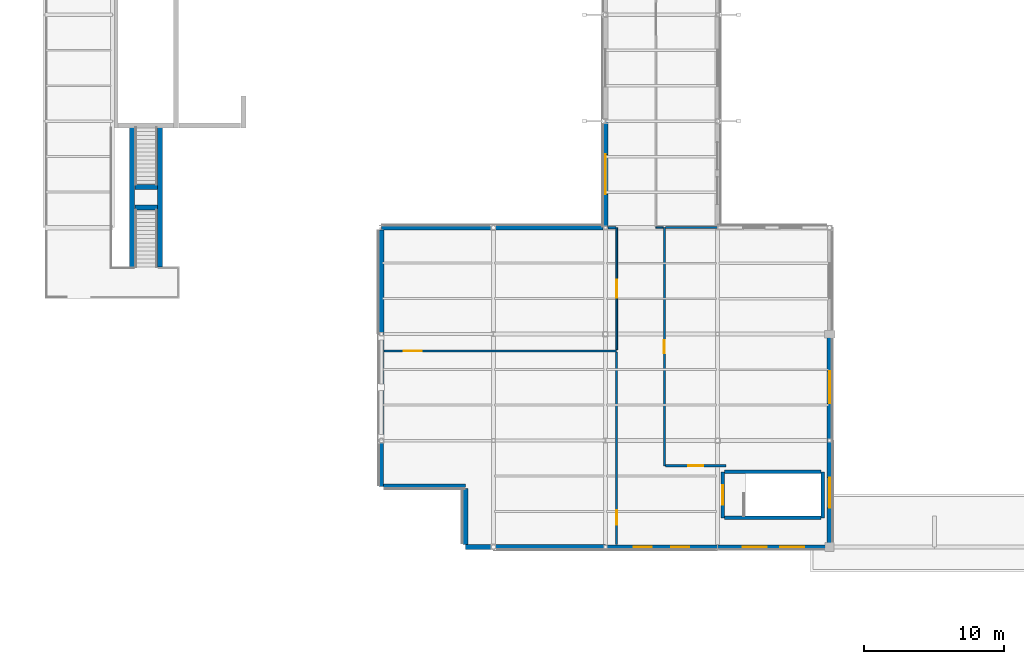
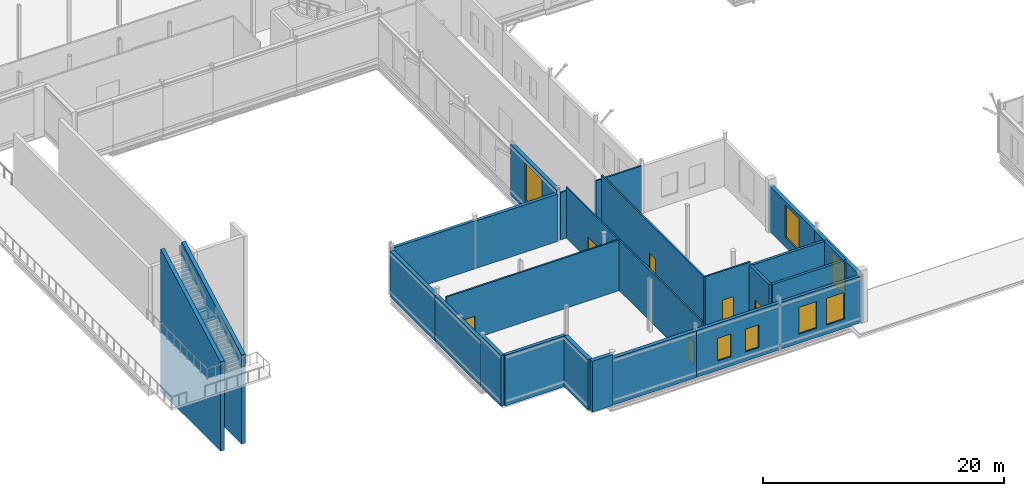
# One storey, part 115 of 147: 30 walls, 7 windows, 6 doors, 13 openings.
"""IFC4 building model written with IfcOpenShell, lengths in metres."""

from ifc_helpers import new_model, si_unit, direction, frame, frame_2d, origin, place, context, subcontext, project, spatial, polyline, rectangle, outline, extrude, material, layer, layer_set, type_object, element, fill, save


model = new_model("IFC4")

# Units and contexts
model_context = context("Model", 3, precision=1e-05, world=origin(), true_north=direction((0.0, 1.0)))
body_context = subcontext(model_context, "Body", "Model", "MODEL_VIEW")
ifc_project = project(units=[si_unit("LENGTHUNIT", "METRE"), si_unit("AREAUNIT", "SQUARE_METRE"), si_unit("VOLUMEUNIT", "CUBIC_METRE"), si_unit("PLANEANGLEUNIT", "RADIAN"), si_unit("MASSUNIT", "GRAM", prefix="KILO")], contexts=[model_context])

# Site, building, storey
site_placement = place(None, origin())
site = spatial("IfcSite", under=ifc_project, at=site_placement, CompositionType="ELEMENT")
building_placement = place(site_placement, origin())
building = spatial("IfcBuilding", under=site, at=building_placement, Name="Vekula Escarpment Museum", CompositionType="ELEMENT")
storey_placement = place(building_placement, frame((0.0, 0.0, 7.800048828125)))
storey = spatial("IfcBuildingStorey", under=building, at=storey_placement, Name="L02", CompositionType="ELEMENT", Elevation=7.800048828125)

# Wall, openings, windows
ifc_material_1 = material(Name="Inkisi arkosic sandstone masonry", Category="masonry")
ifc_layer_1 = layer(ifc_material_1, 0.300048828125)
ifc_layer_set_1 = layer_set([ifc_layer_1], Name="Inkisi arkosic sandstone masonry")
wall_type_1 = type_object("IfcWallType", Name="WL-ALM-300", PredefinedType="SOLIDWALL", material=ifc_layer_set_1)
wall_1_placement = place(storey_placement, frame((56.0, 0.0, 0.0), z_axis=(0.0, 0.0, 1.0), x_axis=(-1.0, 0.0, 0.0)))
wall_1 = element("IfcWall", 1, at=wall_1_placement, inside=storey, type_object=wall_type_1, Name="Exterior Wall WL-EXT-L02-0319", PredefinedType="SOLIDWALL", context=body_context, shape_type="SweptSolid", body=[
    extrude(rectangle(XDim=8.0, YDim=0.300048828125, at=frame_2d((4.0, 0.0))), origin(), (0.0, 0.0, 1.0), 4.744873046875),
])
opening_1_placement = place(wall_1_placement, frame((1.816650390625, 0.0, 0.949951171875)))
opening_1 = element("IfcOpeningElement", 2, at=opening_1_placement, cuts=wall_1, Name="Opening WN-19", PredefinedType="OPENING", context=body_context, shape_type="SweptSolid", body=[
    extrude(rectangle(XDim=1.699951171875, YDim=2.699951171875, at=frame_2d((0.85009765625, 1.35009765625))), frame((0.0, 0.159912109375, 0.0), z_axis=(0.0, -1.0, 0.0), x_axis=(1.0, 0.0, 0.0)), (0.0, 0.0, 1.0), 0.320068359375),
])
opening_2_placement = place(wall_1_placement, frame((4.4833984375, 0.0, 0.949951171875)))
opening_2 = element("IfcOpeningElement", 3, at=opening_2_placement, cuts=wall_1, Name="Opening WN-19", PredefinedType="OPENING", context=body_context, shape_type="SweptSolid", body=[
    extrude(rectangle(XDim=1.699951171875, YDim=2.699951171875, at=frame_2d((0.85009765625, 1.35009765625))), frame((0.0, 0.159912109375, 0.0), z_axis=(0.0, -1.0, 0.0), x_axis=(1.0, 0.0, 0.0)), (0.0, 0.0, 1.0), 0.320068359375),
])
ifc_material_2 = material(Name="Double solar-control low-E glass", Category="glass")
window_type_1 = type_object("IfcWindowType", Name="WN-GAL-17x27", PartitioningType="DOUBLE_PANEL_VERTICAL", PredefinedType="WINDOW", material=ifc_material_2)
window_1_placement = place(opening_1_placement, origin())
window_1 = element("IfcWindow", 4, at=window_1_placement, inside=storey, type_object=window_type_1, Name="Window L02-0131", OverallHeight=2.699951171875, OverallWidth=1.699951171875, PartitioningType="SINGLE_PANEL", PredefinedType="WINDOW", context=body_context, shape_type="SweptSolid", body=[
    extrude(rectangle(XDim=1.699951171875, YDim=2.699951171875, at=frame_2d((0.85009765625, 1.35009765625))), frame((0.0, 0.030029296875, 0.0), z_axis=(0.0, -1.0, 0.0), x_axis=(1.0, 0.0, 0.0)), (0.0, 0.0, 1.0), 0.06005859375),
])
fill(opening_1, window_1)
window_2_placement = place(opening_2_placement, origin())
window_2 = element("IfcWindow", 5, at=window_2_placement, inside=storey, type_object=window_type_1, Name="Window L02-0132", OverallHeight=2.699951171875, OverallWidth=1.699951171875, PartitioningType="SINGLE_PANEL", PredefinedType="WINDOW", context=body_context, shape_type="SweptSolid", body=[
    extrude(rectangle(XDim=1.699951171875, YDim=2.699951171875, at=frame_2d((0.85009765625, 1.35009765625))), frame((0.0, 0.030029296875, 0.0), z_axis=(0.0, -1.0, 0.0), x_axis=(1.0, 0.0, 0.0)), (0.0, 0.0, 1.0), 0.06005859375),
])
fill(opening_2, window_2)

# Walls
wall_2_placement = place(storey_placement, frame((24.0, 22.800048828125, 0.0), z_axis=(0.0, 0.0, 1.0), x_axis=(1.0, 0.0, 0.0)))
element("IfcWall", 6, at=wall_2_placement, inside=storey, type_object=wall_type_1, Name="Exterior Wall WL-EXT-L02-0527", PredefinedType="SOLIDWALL", context=body_context, shape_type="SweptSolid", body=[
    extrude(rectangle(XDim=8.0, YDim=0.300048828125, at=frame_2d((4.0, 0.0))), origin(), (0.0, 0.0, 1.0), 4.85498046875),
])
wall_3_placement = place(storey_placement, frame((30.0, 4.33203125, 0.0), z_axis=(0.0, 0.0, 1.0), x_axis=(-1.0, 0.0, 0.0)))
element("IfcWall", 7, at=wall_3_placement, inside=storey, type_object=wall_type_1, Name="Exterior Wall WL-EXT-L02-0531", PredefinedType="SOLIDWALL", context=body_context, shape_type="SweptSolid", body=[
    extrude(rectangle(XDim=5.8359375, YDim=0.300048828125, at=frame_2d((2.91796875, 0.0))), origin(), (0.0, 0.0, 1.0), 5.14990234375),
])

# Wall, openings, windows
ifc_material_3 = material(Name="Inkisi arkosic sandstone masonry", Category="masonry")
ifc_layer_2 = layer(ifc_material_3, 0.320068359375)
ifc_layer_set_2 = layer_set([ifc_layer_2], Name="Inkisi arkosic sandstone masonry")
wall_type_2 = type_object("IfcWallType", Name="WL-ALM-320", PredefinedType="SOLIDWALL", material=ifc_layer_set_2)
wall_4_placement = place(storey_placement, frame((48.0, 0.0, 0.0), z_axis=(0.0, 0.0, 1.0), x_axis=(-1.0, 0.0, 0.0)))
wall_4 = element("IfcWall", 8, at=wall_4_placement, inside=storey, type_object=wall_type_2, Name="Exterior Wall WL-EXT-L02-0318", PredefinedType="SOLIDWALL", context=body_context, shape_type="SweptSolid", body=[
    extrude(rectangle(XDim=8.0, YDim=0.320068359375, at=frame_2d((4.0, 0.0))), origin(), (0.0, 0.0, 1.0), 4.744873046875),
])
opening_3_placement = place(wall_4_placement, frame((2.0166015625, 0.0, 0.949951171875)))
opening_3 = element("IfcOpeningElement", 9, at=opening_3_placement, cuts=wall_4, Name="Opening WN-17", PredefinedType="OPENING", context=body_context, shape_type="SweptSolid", body=[
    extrude(rectangle(XDim=1.300048828125, YDim=2.300048828125, at=frame_2d((0.64990234375, 1.14990234375))), frame((0.0, 0.169921875, 0.0), z_axis=(0.0, -1.0, 0.0), x_axis=(1.0, 0.0, 0.0)), (0.0, 0.0, 1.0), 0.340087890625),
])
opening_4_placement = place(wall_4_placement, frame((4.683349609375, 0.0, 0.949951171875)))
opening_4 = element("IfcOpeningElement", 10, at=opening_4_placement, cuts=wall_4, Name="Opening WN-17", PredefinedType="OPENING", context=body_context, shape_type="SweptSolid", body=[
    extrude(rectangle(XDim=1.300048828125, YDim=2.300048828125, at=frame_2d((0.64990234375, 1.14990234375))), frame((0.0, 0.169921875, 0.0), z_axis=(0.0, -1.0, 0.0), x_axis=(1.0, 0.0, 0.0)), (0.0, 0.0, 1.0), 0.340087890625),
])
ifc_material_4 = material(Name="Double solar-control low-E glass", Category="glass")
window_type_2 = type_object("IfcWindowType", Name="WN-GAL-13x23", PartitioningType="SINGLE_PANEL", PredefinedType="WINDOW", material=ifc_material_4)
window_3_placement = place(opening_3_placement, origin())
window_3 = element("IfcWindow", 11, at=window_3_placement, inside=storey, type_object=window_type_2, Name="Window L02-0129", OverallHeight=2.300048828125, OverallWidth=1.300048828125, PartitioningType="SINGLE_PANEL", PredefinedType="WINDOW", context=body_context, shape_type="SweptSolid", body=[
    extrude(rectangle(XDim=1.300048828125, YDim=2.300048828125, at=frame_2d((0.64990234375, 1.14990234375))), frame((0.0, 0.030029296875, 0.0), z_axis=(0.0, -1.0, 0.0), x_axis=(1.0, 0.0, 0.0)), (0.0, 0.0, 1.0), 0.06005859375),
])
fill(opening_3, window_3)
window_4_placement = place(opening_4_placement, origin())
window_4 = element("IfcWindow", 12, at=window_4_placement, inside=storey, type_object=window_type_2, Name="Window L02-0130", OverallHeight=2.300048828125, OverallWidth=1.300048828125, PartitioningType="SINGLE_PANEL", PredefinedType="WINDOW", context=body_context, shape_type="SweptSolid", body=[
    extrude(rectangle(XDim=1.300048828125, YDim=2.300048828125, at=frame_2d((0.64990234375, 1.14990234375))), frame((0.0, 0.030029296875, 0.0), z_axis=(0.0, -1.0, 0.0), x_axis=(1.0, 0.0, 0.0)), (0.0, 0.0, 1.0), 0.06005859375),
])
fill(opening_4, window_4)

# Walls
wall_5_placement = place(storey_placement, frame((32.0, 22.800048828125, 0.0), z_axis=(0.0, 0.0, 1.0), x_axis=(1.0, 0.0, 0.0)))
element("IfcWall", 13, at=wall_5_placement, inside=storey, type_object=wall_type_2, Name="Exterior Wall WL-EXT-L02-0526", PredefinedType="SOLIDWALL", context=body_context, shape_type="SweptSolid", body=[
    extrude(rectangle(XDim=7.821044921875, YDim=0.320068359375, at=frame_2d((3.91064453125, 0.0))), origin(), (0.0, 0.0, 1.0), 4.81494140625),
])
wall_6_placement = place(storey_placement, frame((24.0, 4.33203125, 0.0), z_axis=(0.0, 0.0, 1.0), x_axis=(0.0, 1.0, 0.0)))
element("IfcWall", 14, at=wall_6_placement, inside=storey, type_object=wall_type_2, Name="Exterior Wall WL-EXT-L02-0530", PredefinedType="SOLIDWALL", context=body_context, shape_type="SweptSolid", body=[
    extrude(rectangle(XDim=3.26806640625, YDim=0.320068359375, at=frame_2d((1.634033203125, 0.0))), origin(), (0.0, 0.0, 1.0), 5.14990234375),
])
ifc_material_5 = material(Name="Inkisi arkosic sandstone masonry", Category="masonry")
ifc_layer_3 = layer(ifc_material_5, 0.35009765625)
ifc_layer_set_3 = layer_set([ifc_layer_3], Name="Inkisi arkosic sandstone masonry")
wall_type_3 = type_object("IfcWallType", Name="WL-ALM-350", PredefinedType="SOLIDWALL", material=ifc_layer_set_3)
wall_7_placement = place(storey_placement, frame((40.0, 0.0, 0.0), z_axis=(0.0, 0.0, 1.0), x_axis=(-1.0, 0.0, 0.0)))
element("IfcWall", 15, at=wall_7_placement, inside=storey, type_object=wall_type_3, Name="Exterior Wall WL-EXT-L02-0317", PredefinedType="SOLIDWALL", context=body_context, shape_type="SweptSolid", body=[
    extrude(rectangle(XDim=8.0, YDim=0.35009765625, at=frame_2d((4.0, 0.0))), origin(), (0.0, 0.0, 1.0), 4.744873046875),
])

# Wall, opening, window
wall_8_placement = place(storey_placement, frame((56.0, 15.199951171875, 0.0), z_axis=(0.0, 0.0, 1.0), x_axis=(0.0, -1.0, 0.0)))
wall_8 = element("IfcWall", 16, at=wall_8_placement, inside=storey, type_object=wall_type_3, Name="Exterior Wall WL-EXT-L02-0321", PredefinedType="SOLIDWALL", context=body_context, shape_type="SweptSolid", body=[
    extrude(rectangle(XDim=7.599853515625, YDim=0.35009765625, at=frame_2d((3.7998046875, 0.0))), origin(), (0.0, 0.0, 1.0), 4.635009765625),
])
opening_5_placement = place(wall_8_placement, frame((2.64990234375, 0.0, 0.949951171875)))
opening_5 = element("IfcOpeningElement", 17, at=opening_5_placement, cuts=wall_8, Name="Opening WN-22", PredefinedType="OPENING", context=body_context, shape_type="SweptSolid", body=[
    extrude(rectangle(XDim=2.300048828125, YDim=3.2900390625, at=frame_2d((1.14990234375, 1.64501953125))), frame((0.0, 0.18505859375, 0.0), z_axis=(0.0, -1.0, 0.0), x_axis=(1.0, 0.0, 0.0)), (0.0, 0.0, 1.0), 0.3701171875),
])
ifc_material_6 = material(Name="Double solar-control low-E glass", Category="glass")
window_type_3 = type_object("IfcWindowType", Name="WN-GAL-23x33", PartitioningType="TRIPLE_PANEL_VERTICAL", PredefinedType="WINDOW", material=ifc_material_6)
window_5_placement = place(opening_5_placement, origin())
window_5 = element("IfcWindow", 18, at=window_5_placement, inside=storey, type_object=window_type_3, Name="Window L02-0134", OverallHeight=3.2900390625, OverallWidth=2.300048828125, PartitioningType="SINGLE_PANEL", PredefinedType="WINDOW", context=body_context, shape_type="SweptSolid", body=[
    extrude(rectangle(XDim=2.300048828125, YDim=3.2900390625, at=frame_2d((1.14990234375, 1.64501953125))), frame((0.0, 0.030029296875, 0.0), z_axis=(0.0, -1.0, 0.0), x_axis=(1.0, 0.0, 0.0)), (0.0, 0.0, 1.0), 0.06005859375),
])
fill(opening_5, window_5)

wall_9_placement = place(storey_placement, frame((40.0, 22.800048828125, 0.0), z_axis=(0.0, 0.0, 1.0), x_axis=(0.0, 1.0, 0.0)))
wall_9 = element("IfcWall", 19, at=wall_9_placement, inside=storey, type_object=wall_type_3, Name="Exterior Wall WL-EXT-L02-0525", PredefinedType="SOLIDWALL", context=body_context, shape_type="SweptSolid", body=[
    extrude(rectangle(XDim=7.599853515625, YDim=0.35009765625, at=frame_2d((3.7998046875, 0.0))), origin(), (0.0, 0.0, 1.0), 5.14990234375),
])
opening_6_placement = place(wall_9_placement, frame((2.375, 0.0, 0.949951171875)))
opening_6 = element("IfcOpeningElement", 20, at=opening_6_placement, cuts=wall_9, Name="Opening WN-38", PredefinedType="OPENING", context=body_context, shape_type="SweptSolid", body=[
    extrude(rectangle(XDim=2.85009765625, YDim=3.800048828125, at=frame_2d((1.425048828125, 1.89990234375))), frame((0.0, 0.18505859375, 0.0), z_axis=(0.0, -1.0, 0.0), x_axis=(1.0, 0.0, 0.0)), (0.0, 0.0, 1.0), 0.3701171875),
])
ifc_material_7 = material(Name="Double solar-control low-E glass", Category="glass")
window_type_4 = type_object("IfcWindowType", Name="WN-GAL-28x42", PartitioningType="TRIPLE_PANEL_VERTICAL", PredefinedType="WINDOW", material=ifc_material_7)
window_6_placement = place(opening_6_placement, origin())
window_6 = element("IfcWindow", 21, at=window_6_placement, inside=storey, type_object=window_type_4, Name="Window L02-0240", OverallHeight=3.800048828125, OverallWidth=2.85009765625, PartitioningType="SINGLE_PANEL", PredefinedType="WINDOW", context=body_context, shape_type="SweptSolid", body=[
    extrude(rectangle(XDim=2.85009765625, YDim=3.800048828125, at=frame_2d((1.425048828125, 1.89990234375))), frame((0.0, 0.030029296875, 0.0), z_axis=(0.0, -1.0, 0.0), x_axis=(1.0, 0.0, 0.0)), (0.0, 0.0, 1.0), 0.06005859375),
])
fill(opening_6, window_6)

# Walls
wall_10_placement = place(storey_placement, frame((24.0, 7.60009765625, 0.0), z_axis=(0.0, 0.0, 1.0), x_axis=(0.0, 1.0, 0.0)))
element("IfcWall", 22, at=wall_10_placement, inside=storey, type_object=wall_type_3, Name="Exterior Wall WL-EXT-L02-0529", PredefinedType="SOLIDWALL", context=body_context, shape_type="SweptSolid", body=[
    extrude(rectangle(XDim=7.599853515625, YDim=0.35009765625, at=frame_2d((3.7998046875, 0.0))), origin(), (0.0, 0.0, 1.0), 4.635009765625),
])
ifc_material_8 = material(Name="Inkisi arkosic sandstone masonry", Category="masonry")
ifc_layer_4 = layer(ifc_material_8, 0.3798828125)
ifc_layer_set_4 = layer_set([ifc_layer_4], Name="Inkisi arkosic sandstone masonry")
wall_type_4 = type_object("IfcWallType", Name="WL-ALM-380", PredefinedType="SOLIDWALL", material=ifc_layer_set_4)
wall_11_placement = place(storey_placement, frame((32.0, 0.0, 0.0), z_axis=(0.0, 0.0, 1.0), x_axis=(-1.0, 0.0, 0.0)))
element("IfcWall", 23, at=wall_11_placement, inside=storey, type_object=wall_type_4, Name="Exterior Wall WL-EXT-L02-0316", PredefinedType="SOLIDWALL", context=body_context, shape_type="SweptSolid", body=[
    extrude(rectangle(XDim=2.0, YDim=0.3798828125, at=frame_2d((1.0, 0.0))), origin(), (0.0, 0.0, 1.0), 5.14990234375),
])

# Wall, opening, window
wall_12_placement = place(storey_placement, frame((56.0, 7.60009765625, 0.0), z_axis=(0.0, 0.0, 1.0), x_axis=(0.0, -1.0, 0.0)))
wall_12 = element("IfcWall", 24, at=wall_12_placement, inside=storey, type_object=wall_type_4, Name="Exterior Wall WL-EXT-L02-0320", PredefinedType="SOLIDWALL", context=body_context, shape_type="SweptSolid", body=[
    extrude(rectangle(XDim=7.446044921875, YDim=0.3798828125, at=frame_2d((3.72314453125, 0.0))), origin(), (0.0, 0.0, 1.0), 4.635009765625),
])
opening_7_placement = place(wall_12_placement, frame((2.64794921875, 0.0, 0.949951171875)))
opening_7 = element("IfcOpeningElement", 25, at=opening_7_placement, cuts=wall_12, Name="Opening WN-21", PredefinedType="OPENING", context=body_context, shape_type="SweptSolid", body=[
    extrude(rectangle(XDim=2.14990234375, YDim=3.10009765625, at=frame_2d((1.074951171875, 1.550048828125))), frame((0.0, 0.199951171875, 0.0), z_axis=(0.0, -1.0, 0.0), x_axis=(1.0, 0.0, 0.0)), (0.0, 0.0, 1.0), 0.39990234375),
])
ifc_material_9 = material(Name="Double solar-control low-E glass", Category="glass")
window_type_5 = type_object("IfcWindowType", Name="WN-GAL-21x31", PartitioningType="DOUBLE_PANEL_VERTICAL", PredefinedType="WINDOW", material=ifc_material_9)
window_7_placement = place(opening_7_placement, origin())
window_7 = element("IfcWindow", 26, at=window_7_placement, inside=storey, type_object=window_type_5, Name="Window L02-0133", OverallHeight=3.10009765625, OverallWidth=2.14990234375, PartitioningType="SINGLE_PANEL", PredefinedType="WINDOW", context=body_context, shape_type="SweptSolid", body=[
    extrude(rectangle(XDim=2.14990234375, YDim=3.10009765625, at=frame_2d((1.074951171875, 1.550048828125))), frame((0.0, 0.030029296875, 0.0), z_axis=(0.0, -1.0, 0.0), x_axis=(1.0, 0.0, 0.0)), (0.0, 0.0, 1.0), 0.06005859375),
])
fill(opening_7, window_7)

# Walls
wall_13_placement = place(storey_placement, frame((24.0, 15.199951171875, 0.0), z_axis=(0.0, 0.0, 1.0), x_axis=(0.0, 1.0, 0.0)))
element("IfcWall", 27, at=wall_13_placement, inside=storey, type_object=wall_type_4, Name="Exterior Wall WL-EXT-L02-0528", PredefinedType="SOLIDWALL", context=body_context, shape_type="SweptSolid", body=[
    extrude(rectangle(XDim=7.446044921875, YDim=0.3798828125, at=frame_2d((3.72314453125, 0.0))), origin(), (0.0, 0.0, 1.0), 4.635009765625),
])
wall_14_placement = place(storey_placement, frame((30.0, 0.194091796875, 0.0), z_axis=(0.0, 0.0, 1.0), x_axis=(0.0, 1.0, 0.0)))
element("IfcWall", 28, at=wall_14_placement, inside=storey, type_object=wall_type_4, Name="Exterior Wall WL-EXT-L02-0532", PredefinedType="SOLIDWALL", context=body_context, shape_type="SweptSolid", body=[
    extrude(rectangle(XDim=3.98388671875, YDim=0.3798828125, at=frame_2d((1.991943359375, 0.0))), origin(), (0.0, 0.0, 1.0), 5.14990234375),
])
ifc_material_10 = material(Name="Inkisi arkosic sandstone masonry", Category="masonry")
ifc_layer_5 = layer(ifc_material_10, 0.360107421875)
ifc_layer_set_5 = layer_set([ifc_layer_5], Name="Inkisi arkosic sandstone masonry")
wall_type_5 = type_object("IfcWallType", Name="WL-AMP-CHEEK", PredefinedType="SOLIDWALL", material=ifc_layer_set_5)
for number, where, z_axis, x_axis, name in (
    (29, (6.18994140625, 19.97998046875, -7.800048828125), (0.0, 0.0, 1.0), (0.0, 1.0, 0.0), "Escarpment Plinth Stepped Cheek Wall ST-AMP-S2 W"),
    (30, (8.2099609375, 19.97998046875, -7.800048828125), (0.0, 0.0, 1.0), (0.0, 1.0, 0.0), "Escarpment Plinth Stepped Cheek Wall ST-AMP-S2 E"),
):
    element("IfcWall", number, at=place(storey_placement, frame(where, z_axis=z_axis, x_axis=x_axis)), inside=storey, type_object=wall_type_5, Name=name, PredefinedType="SOLIDWALL", context=body_context, shape_type="SweptSolid", body=[
        extrude(outline(polyline([(0.0, 0.0), (9.969970703125, 0.0), (9.969970703125, 14.449951171875), (0.0, 9.050048828125), (0.0, 0.0)])), frame((0.0, 0.18017578125, 0.0), z_axis=(0.0, -1.0, 0.0), x_axis=(1.0, 0.0, 0.0)), (0.0, 0.0, 1.0), 0.360107421875),
    ])
for number, where, z_axis, x_axis, name in (
    (31, (6.39990234375, 24.239990234375, -7.800048828125), (0.0, 0.0, 1.0), (1.0, 0.0, 0.0), "Escarpment Plinth Landing Pier Wall ST-AMP-S2-1A"),
    (32, (6.39990234375, 25.68994140625, -7.800048828125), (0.0, 0.0, 1.0), (1.0, 0.0, 0.0), "Escarpment Plinth Landing Pier Wall ST-AMP-S2-1B"),
):
    element("IfcWall", number, at=place(storey_placement, frame(where, z_axis=z_axis, x_axis=x_axis)), inside=storey, type_object=wall_type_5, Name=name, PredefinedType="SOLIDWALL", context=body_context, shape_type="SweptSolid", body=[
        extrude(rectangle(XDim=1.60009765625, YDim=0.360107421875, at=frame_2d((0.800048828125, 0.0))), origin(), (0.0, 0.0, 1.0), 10.300048828125),
    ])

# Wall, opening, door
ifc_material_11 = material(Name="Concrete C35/45", Category="concrete")
ifc_layer_6 = layer(ifc_material_11, 0.25)
ifc_layer_set_6 = layer_set([ifc_layer_6], Name="Concrete C35/45")
wall_type_6 = type_object("IfcWallType", Name="WL-CORE-250", PredefinedType="SHEAR", material=ifc_layer_set_6)
wall_15_placement = place(storey_placement, frame((48.375, 2.074951171875, 0.0), z_axis=(0.0, 0.0, 1.0), x_axis=(0.0, 1.0, 0.0)))
wall_15 = element("IfcWall", 33, at=wall_15_placement, inside=storey, type_object=wall_type_6, Name="Stair Core Wall ST-07 L02 W", PredefinedType="SHEAR", context=body_context, shape_type="SweptSolid", body=[
    extrude(rectangle(XDim=3.2900390625, YDim=0.25, at=frame_2d((1.64501953125, 0.0))), origin(), (0.0, 0.0, 1.0), 5.14990234375),
])
opening_8_placement = place(wall_15_placement, frame((0.945068359375, 0.0, 0.0)))
opening_8 = element("IfcOpeningElement", 34, at=opening_8_placement, cuts=wall_15, Name="Opening DR-FD60", PredefinedType="OPENING", context=body_context, shape_type="SweptSolid", body=[
    extrude(rectangle(XDim=1.39990234375, YDim=2.199951171875, at=frame_2d((0.699951171875, 1.10009765625))), frame((0.0, 0.135009765625, 0.0), z_axis=(0.0, -1.0, 0.0), x_axis=(1.0, 0.0, 0.0)), (0.0, 0.0, 1.0), 0.27001953125),
])
ifc_material_12 = material(Name="Fire-rated steel stair door", Category="steel")
door_type_1 = type_object("IfcDoorType", Name="DR-STAIR-1400x2200", OperationType="NOTDEFINED", PredefinedType="DOOR", material=ifc_material_12)
door_1_placement = place(opening_8_placement, origin())
door_1 = element("IfcDoor", 35, at=door_1_placement, inside=storey, type_object=door_type_1, Name="Protected Exit Stair Door ST-07 L02", OperationType="SINGLE_SWING_RIGHT", OverallHeight=2.199951171875, OverallWidth=1.39990234375, PredefinedType="DOOR", context=body_context, shape_type="SweptSolid", body=[
    extrude(rectangle(XDim=1.39990234375, YDim=2.199951171875, at=frame_2d((0.699951171875, 1.10009765625))), frame((0.0, 0.02490234375, 0.0), z_axis=(0.0, -1.0, 0.0), x_axis=(1.0, 0.0, 0.0)), (0.0, 0.0, 1.0), 0.050048828125),
])
fill(opening_8, door_1)

# Walls
wall_16_placement = place(storey_placement, frame((55.52490234375, 2.074951171875, 0.0), z_axis=(0.0, 0.0, 1.0), x_axis=(0.0, 1.0, 0.0)))
element("IfcWall", 36, at=wall_16_placement, inside=storey, type_object=wall_type_6, Name="Stair Core Wall ST-07 L02 E", PredefinedType="SHEAR", context=body_context, shape_type="SweptSolid", body=[
    extrude(rectangle(XDim=3.2900390625, YDim=0.25, at=frame_2d((1.64501953125, 0.0))), origin(), (0.0, 0.0, 1.0), 5.14990234375),
])
for number, where, z_axis, x_axis, name in (
    (37, (48.50390625, 2.074951171875, 0.0), (0.0, 0.0, 1.0), (1.0, 0.0, 0.0), "Stair Core Wall ST-07 L02 S"),
    (38, (48.50390625, 5.364990234375, 0.0), (0.0, 0.0, 1.0), (1.0, 0.0, 0.0), "Stair Core Wall ST-07 L02 N"),
):
    element("IfcWall", number, at=place(storey_placement, frame(where, z_axis=z_axis, x_axis=x_axis)), inside=storey, type_object=wall_type_6, Name=name, PredefinedType="SHEAR", context=body_context, shape_type="SweptSolid", body=[
        extrude(rectangle(XDim=6.89208984375, YDim=0.25, at=frame_2d((3.446044921875, 0.0))), origin(), (0.0, 0.0, 1.0), 5.14990234375),
    ])

# Wall, opening, door
ifc_material_13 = material(Name="Lightweight studio partition", Category="gypsum")
ifc_layer_7 = layer(ifc_material_13, 0.1201171875)
ifc_layer_set_7 = layer_set([ifc_layer_7], Name="Lightweight studio partition")
wall_type_7 = type_object("IfcWallType", Name="WL-PART-120", PredefinedType="PARTITIONING", material=ifc_layer_set_7)
wall_17_placement = place(storey_placement, frame((40.800048828125, 14.083984375, 0.0), z_axis=(0.0, 0.0, 1.0), x_axis=(0.0, 1.0, 0.0)))
wall_17 = element("IfcWall", 39, at=wall_17_placement, inside=storey, type_object=wall_type_7, Name="Interior Partition WL-INT-L02-0063", PredefinedType="PARTITIONING", context=body_context, shape_type="SweptSolid", body=[
    extrude(rectangle(XDim=8.716064453125, YDim=0.1201171875, at=frame_2d((4.35791015625, 0.0))), origin(), (0.0, 0.0, 1.0), 5.14990234375),
])
opening_9_placement = place(wall_17_placement, frame((3.7080078125, 0.0, 0.0)))
opening_9 = element("IfcOpeningElement", 40, at=opening_9_placement, cuts=wall_17, Name="Opening DR-SM13", PredefinedType="OPENING", context=body_context, shape_type="SweptSolid", body=[
    extrude(rectangle(XDim=1.300048828125, YDim=2.25, at=frame_2d((0.64990234375, 1.125))), frame((0.0, 0.070068359375, 0.0), z_axis=(0.0, -1.0, 0.0), x_axis=(1.0, 0.0, 0.0)), (0.0, 0.0, 1.0), 0.14013671875),
])
ifc_material_14 = material(Name="Acoustic seminar room door", Category="steel")
door_type_2 = type_object("IfcDoorType", Name="DR-SEM-1300x2250", OperationType="NOTDEFINED", PredefinedType="DOOR", material=ifc_material_14)
door_2_placement = place(opening_9_placement, origin())
door_2 = element("IfcDoor", 41, at=door_2_placement, inside=storey, type_object=door_type_2, Name="Interior Door L02-058", OperationType="SINGLE_SWING_RIGHT", OverallHeight=2.25, OverallWidth=1.300048828125, PredefinedType="DOOR", context=body_context, shape_type="SweptSolid", body=[
    extrude(rectangle(XDim=1.300048828125, YDim=2.25, at=frame_2d((0.64990234375, 1.125))), frame((0.0, 0.02490234375, 0.0), z_axis=(0.0, -1.0, 0.0), x_axis=(1.0, 0.0, 0.0)), (0.0, 0.0, 1.0), 0.050048828125),
])
fill(opening_9, door_2)

# Wall
wall_18_placement = place(storey_placement, frame((43.60009765625, 22.800048828125, 0.0), z_axis=(0.0, 0.0, 1.0), x_axis=(1.0, 0.0, 0.0)))
element("IfcWall", 42, at=wall_18_placement, inside=storey, type_object=wall_type_7, Name="Interior Partition WL-INT-L02-0066", PredefinedType="PARTITIONING", context=body_context, shape_type="SweptSolid", body=[
    extrude(rectangle(XDim=0.52099609375, YDim=0.1201171875, at=frame_2d((0.260498046875, 0.0))), origin(), (0.0, 0.0, 1.0), 4.784912109375),
])

# Wall, opening, door
ifc_material_15 = material(Name="Gypsum board dry-lined partition", Category="gypsum")
ifc_layer_8 = layer(ifc_material_15, 0.14990234375)
ifc_layer_set_8 = layer_set([ifc_layer_8], Name="Gypsum board dry-lined partition")
wall_type_8 = type_object("IfcWallType", Name="WL-PART-150", PredefinedType="PARTITIONING", material=ifc_layer_set_8)
wall_19_placement = place(storey_placement, frame((40.800048828125, 0.1640625, 0.0), z_axis=(0.0, 0.0, 1.0), x_axis=(0.0, 1.0, 0.0)))
wall_19 = element("IfcWall", 43, at=wall_19_placement, inside=storey, type_object=wall_type_8, Name="Interior Partition WL-INT-L02-0062", PredefinedType="PARTITIONING", context=body_context, shape_type="SweptSolid", body=[
    extrude(rectangle(XDim=13.751953125, YDim=0.14990234375, at=frame_2d((6.8759765625, 0.0))), origin(), (0.0, 0.0, 1.0), 5.14990234375),
])
opening_10_placement = place(wall_19_placement, frame((1.408935546875, 0.0, 0.0)))
opening_10 = element("IfcOpeningElement", 44, at=opening_10_placement, cuts=wall_19, Name="Opening DR-CR10", PredefinedType="OPENING", context=body_context, shape_type="SweptSolid", body=[
    extrude(rectangle(XDim=1.050048828125, YDim=2.199951171875, at=frame_2d((0.52490234375, 1.10009765625))), frame((0.0, 0.0849609375, 0.0), z_axis=(0.0, -1.0, 0.0), x_axis=(1.0, 0.0, 0.0)), (0.0, 0.0, 1.0), 0.169921875),
])
ifc_material_16 = material(Name="Solid hardwood curatorial door", Category="wood")
door_type_3 = type_object("IfcDoorType", Name="DR-CUR-1050x2200", OperationType="NOTDEFINED", PredefinedType="DOOR", material=ifc_material_16)
door_3_placement = place(opening_10_placement, origin())
door_3 = element("IfcDoor", 45, at=door_3_placement, inside=storey, type_object=door_type_3, Name="Interior Door L02-057", OperationType="SINGLE_SWING_LEFT", OverallHeight=2.199951171875, OverallWidth=1.050048828125, PredefinedType="DOOR", context=body_context, shape_type="SweptSolid", body=[
    extrude(rectangle(XDim=1.050048828125, YDim=2.199951171875, at=frame_2d((0.52490234375, 1.10009765625))), frame((0.0, 0.02490234375, 0.0), z_axis=(0.0, -1.0, 0.0), x_axis=(1.0, 0.0, 0.0)), (0.0, 0.0, 1.0), 0.050048828125),
])
fill(opening_10, door_3)

wall_20_placement = place(storey_placement, frame((44.199951171875, 5.800048828125, 0.0), z_axis=(0.0, 0.0, 1.0), x_axis=(0.0, 1.0, 0.0)))
wall_20 = element("IfcWall", 46, at=wall_20_placement, inside=storey, type_object=wall_type_8, Name="Interior Partition WL-INT-L02-0065", PredefinedType="PARTITIONING", context=body_context, shape_type="SweptSolid", body=[
    extrude(rectangle(XDim=17.0, YDim=0.14990234375, at=frame_2d((8.5, 0.0))), origin(), (0.0, 0.0, 1.0), 5.14990234375),
])
opening_11_placement = place(wall_20_placement, frame((8.02490234375, 0.0, 0.0)))
opening_11 = element("IfcOpeningElement", 47, at=opening_11_placement, cuts=wall_20, Name="Opening DR-OF09", PredefinedType="OPENING", context=body_context, shape_type="SweptSolid", body=[
    extrude(rectangle(XDim=0.949951171875, YDim=2.10009765625, at=frame_2d((0.47509765625, 1.050048828125))), frame((0.0, 0.0849609375, 0.0), z_axis=(0.0, -1.0, 0.0), x_axis=(1.0, 0.0, 0.0)), (0.0, 0.0, 1.0), 0.169921875),
])
ifc_material_17 = material(Name="Solid core timber office door", Category="wood")
door_type_4 = type_object("IfcDoorType", Name="DR-OFF-0950x2100", OperationType="NOTDEFINED", PredefinedType="DOOR", material=ifc_material_17)
door_4_placement = place(opening_11_placement, origin())
door_4 = element("IfcDoor", 48, at=door_4_placement, inside=storey, type_object=door_type_4, Name="Interior Door L02-059", OperationType="SINGLE_SWING_LEFT", OverallHeight=2.10009765625, OverallWidth=0.949951171875, PredefinedType="DOOR", context=body_context, shape_type="SweptSolid", body=[
    extrude(rectangle(XDim=0.949951171875, YDim=2.10009765625, at=frame_2d((0.47509765625, 1.050048828125))), frame((0.0, 0.02490234375, 0.0), z_axis=(0.0, -1.0, 0.0), x_axis=(1.0, 0.0, 0.0)), (0.0, 0.0, 1.0), 0.050048828125),
])
fill(opening_11, door_4)

# Wall
wall_21_placement = place(storey_placement, frame((44.279052734375, 22.800048828125, 0.0), z_axis=(0.0, 0.0, 1.0), x_axis=(1.0, 0.0, 0.0)))
element("IfcWall", 49, at=wall_21_placement, inside=storey, type_object=wall_type_8, Name="Interior Partition WL-INT-L02-0068", PredefinedType="PARTITIONING", context=body_context, shape_type="SweptSolid", body=[
    extrude(rectangle(XDim=3.720947265625, YDim=0.14990234375, at=frame_2d((1.8603515625, 0.0))), origin(), (0.0, 0.0, 1.0), 4.784912109375),
])

# Wall, opening, door
ifc_material_18 = material(Name="Gypsum board gallery partition", Category="gypsum")
ifc_layer_9 = layer(ifc_material_18, 0.159912109375)
ifc_layer_set_9 = layer_set([ifc_layer_9], Name="Gypsum board gallery partition")
wall_type_9 = type_object("IfcWallType", Name="WL-PART-160", PredefinedType="PARTITIONING", material=ifc_layer_set_9)
wall_22_placement = place(storey_placement, frame((24.178955078125, 14.0, 0.0), z_axis=(0.0, 0.0, 1.0), x_axis=(1.0, 0.0, 0.0)))
wall_22 = element("IfcWall", 50, at=wall_22_placement, inside=storey, type_object=wall_type_9, Name="Interior Partition WL-INT-L02-0061", PredefinedType="PARTITIONING", context=body_context, shape_type="SweptSolid", body=[
    extrude(rectangle(XDim=16.62109375, YDim=0.159912109375, at=frame_2d((8.310546875, 0.0))), origin(), (0.0, 0.0, 1.0), 5.14990234375),
])
opening_12_placement = place(wall_22_placement, frame((1.419921875, 0.0, 0.0)))
opening_12 = element("IfcOpeningElement", 51, at=opening_12_placement, cuts=wall_22, Name="Opening DR-SM13", PredefinedType="OPENING", context=body_context, shape_type="SweptSolid", body=[
    extrude(rectangle(XDim=1.300048828125, YDim=2.25, at=frame_2d((0.64990234375, 1.125))), frame((0.0, 0.08984375, 0.0), z_axis=(0.0, -1.0, 0.0), x_axis=(1.0, 0.0, 0.0)), (0.0, 0.0, 1.0), 0.179931640625),
])
door_5_placement = place(opening_12_placement, origin())
door_5 = element("IfcDoor", 52, at=door_5_placement, inside=storey, type_object=door_type_2, Name="Interior Door L02-056", OperationType="SINGLE_SWING_RIGHT", OverallHeight=2.25, OverallWidth=1.300048828125, PredefinedType="DOOR", context=body_context, shape_type="SweptSolid", body=[
    extrude(rectangle(XDim=1.300048828125, YDim=2.25, at=frame_2d((0.64990234375, 1.125))), frame((0.0, 0.02490234375, 0.0), z_axis=(0.0, -1.0, 0.0), x_axis=(1.0, 0.0, 0.0)), (0.0, 0.0, 1.0), 0.050048828125),
])
fill(opening_12, door_5)

# Wall
wall_23_placement = place(storey_placement, frame((40.178955078125, 22.800048828125, 0.0), z_axis=(0.0, 0.0, 1.0), x_axis=(1.0, 0.0, 0.0)))
element("IfcWall", 53, at=wall_23_placement, inside=storey, type_object=wall_type_9, Name="Interior Partition WL-INT-L02-0064", PredefinedType="PARTITIONING", context=body_context, shape_type="SweptSolid", body=[
    extrude(rectangle(XDim=0.55712890625, YDim=0.159912109375, at=frame_2d((0.278564453125, 0.0))), origin(), (0.0, 0.0, 1.0), 4.784912109375),
])

# Wall, opening, door
wall_24_placement = place(storey_placement, frame((44.279052734375, 5.800048828125, 0.0), z_axis=(0.0, 0.0, 1.0), x_axis=(1.0, 0.0, 0.0)))
wall_24 = element("IfcWall", 54, at=wall_24_placement, inside=storey, type_object=wall_type_9, Name="Interior Partition WL-INT-L02-0067", PredefinedType="PARTITIONING", context=body_context, shape_type="SweptSolid", body=[
    extrude(rectangle(XDim=4.321044921875, YDim=0.159912109375, at=frame_2d((2.16064453125, 0.0))), origin(), (0.0, 0.0, 1.0), 5.14990234375),
])
opening_13_placement = place(wall_24_placement, frame((1.635498046875, 0.0, 0.0)))
opening_13 = element("IfcOpeningElement", 55, at=opening_13_placement, cuts=wall_24, Name="Opening DR-CR10", PredefinedType="OPENING", context=body_context, shape_type="SweptSolid", body=[
    extrude(rectangle(XDim=1.050048828125, YDim=2.199951171875, at=frame_2d((0.52490234375, 1.10009765625))), frame((0.0, 0.08984375, 0.0), z_axis=(0.0, -1.0, 0.0), x_axis=(1.0, 0.0, 0.0)), (0.0, 0.0, 1.0), 0.179931640625),
])
door_6_placement = place(opening_13_placement, origin())
door_6 = element("IfcDoor", 56, at=door_6_placement, inside=storey, type_object=door_type_3, Name="Interior Door L02-060", OperationType="SINGLE_SWING_RIGHT", OverallHeight=2.199951171875, OverallWidth=1.050048828125, PredefinedType="DOOR", context=body_context, shape_type="SweptSolid", body=[
    extrude(rectangle(XDim=1.050048828125, YDim=2.199951171875, at=frame_2d((0.52490234375, 1.10009765625))), frame((0.0, 0.02490234375, 0.0), z_axis=(0.0, -1.0, 0.0), x_axis=(1.0, 0.0, 0.0)), (0.0, 0.0, 1.0), 0.050048828125),
])
fill(opening_13, door_6)

save(model, "model.ifc")
